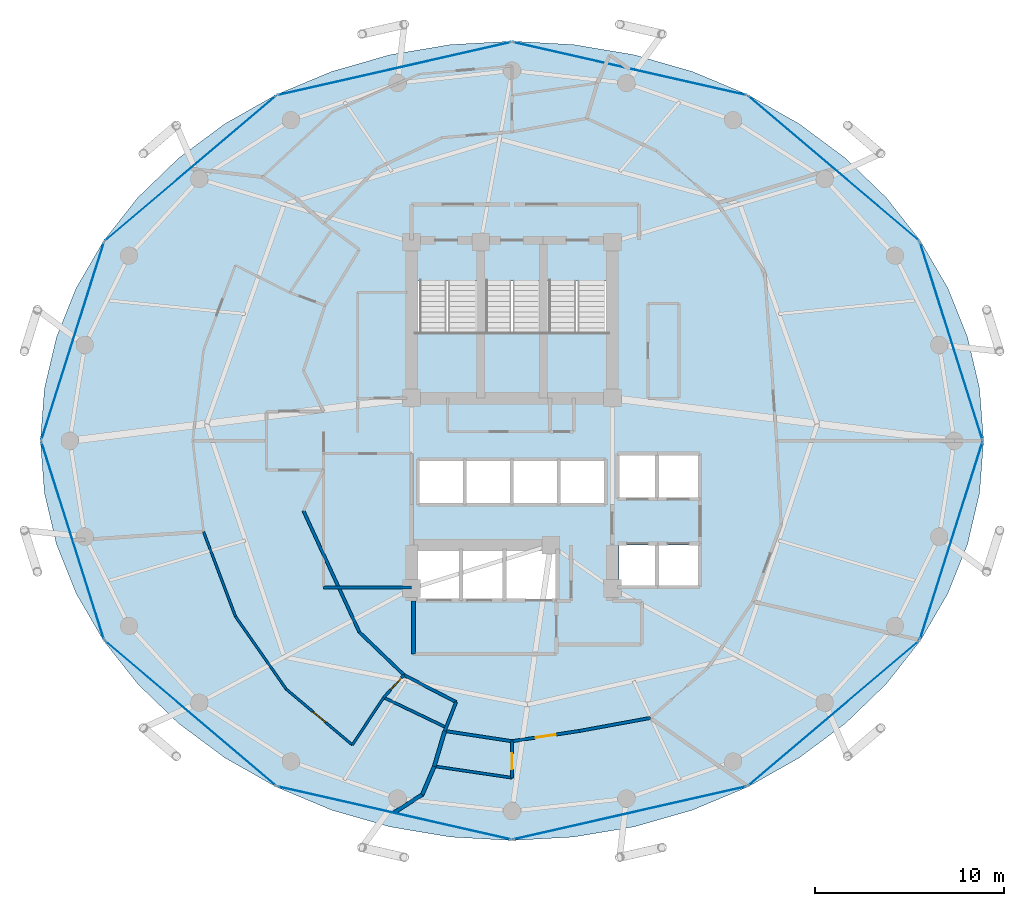
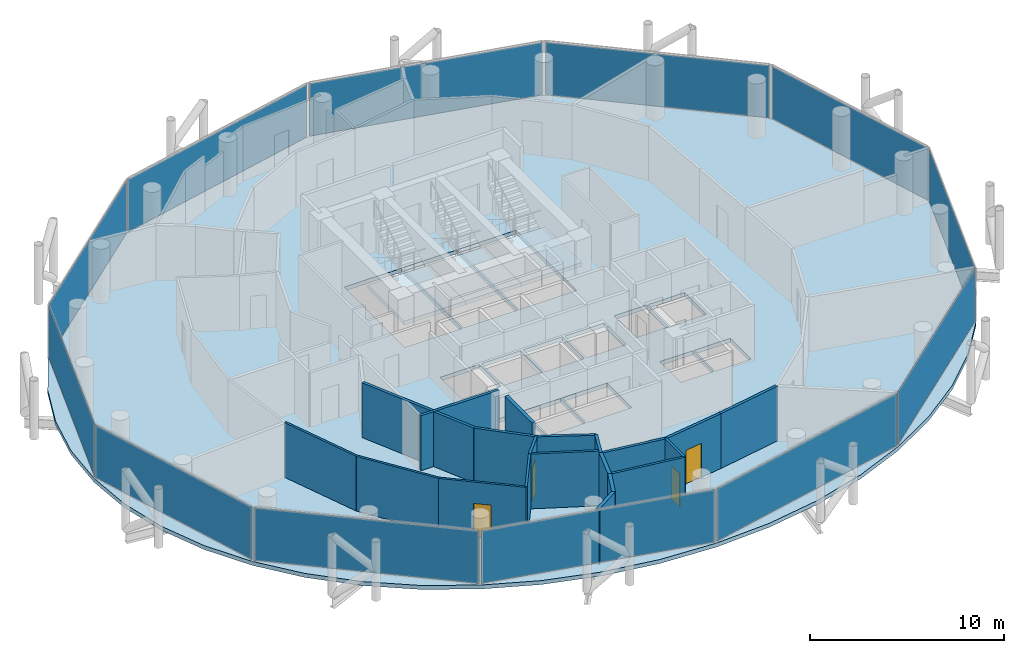
# One storey, part 21 of 26: 20 walls, 12 plates, 4 doors, 4 slabs, 4 openings, 15 elements without a shape of their own.
"""IFC4 building model written with IfcOpenShell, lengths in metres."""

from ifc_helpers import new_model, si_unit, direction, frame, frame_2d, origin, origin_2d, place, context, subcontext, project, spatial, polyline, rectangle, outline, extrude, material, layer, layer_set, type_object, element, fill, aggregate, save


model = new_model("IFC4")

# Units and contexts
model_context = context("Model", 3, precision=1e-05, world=origin(), true_north=direction((0.0, 1.0)))
body_context = subcontext(model_context, "Body", "Model", "MODEL_VIEW")
ifc_project = project(units=[si_unit("LENGTHUNIT", "METRE"), si_unit("AREAUNIT", "SQUARE_METRE"), si_unit("VOLUMEUNIT", "CUBIC_METRE"), si_unit("PLANEANGLEUNIT", "RADIAN"), si_unit("MASSUNIT", "GRAM", prefix="KILO")], contexts=[model_context])

# Site, building, storey
site_placement = place(None, origin())
site = spatial("IfcSite", under=ifc_project, at=site_placement, CompositionType="ELEMENT")
building_placement = place(site_placement, origin())
building = spatial("IfcBuilding", under=site, at=building_placement, Name="Nuhasar Tower", CompositionType="ELEMENT")
storey_placement = place(building_placement, frame((0.0, 0.0, 155.25)))
storey = spatial("IfcBuildingStorey", under=building, at=storey_placement, Name="L37", CompositionType="ELEMENT", Elevation=155.25)

# Curtain wall, plate
ifc_material_1 = material(Name="Aluminium 6063-T6", Category="aluminium")
ifc_layer_1 = layer(ifc_material_1, 0.199951171875)
ifc_layer_set_1 = layer_set([ifc_layer_1], Name="Aluminium 6063-T6")
curtain_wall_type = type_object("IfcCurtainWallType", Name="CW-Z2-HTL", PredefinedType="NOTDEFINED", material=ifc_layer_set_1)
curtain_wall_1_placement = place(storey_placement, origin())
curtain_wall_1 = element("IfcCurtainWall", 1, at=curtain_wall_1_placement, inside=storey, type_object=curtain_wall_type, Name="L37 Unitised Curtain Wall 01", PredefinedType="NOTDEFINED")
ifc_material_2 = material(Name="Glass Double Low-E", Category="glass")
ifc_layer_2 = layer(ifc_material_2, 0.028076171875)
ifc_layer_set_2 = layer_set([ifc_layer_2], Name="Glass Double Low-E")
plate_type = type_object("IfcPlateType", Name="CW-PANEL-GLZ", PredefinedType="CURTAIN_PANEL", material=ifc_layer_set_2)
plate_1_placement = place(storey_placement, frame((62.194580078125, 32.06494140625, 0.070068359375), z_axis=(0.0, 0.0, 1.0), x_axis=(-0.301603667577, 0.953433389233, 0.0)))
plate_1 = element("IfcPlate", 2, at=plate_1_placement, type_object=plate_type, Name="CW-Z2 panel 1.1", PredefinedType="CURTAIN_PANEL", context=body_context, shape_type="SweptSolid", body=[
    extrude(rectangle(XDim=10.904296875, YDim=0.028076171875, at=origin_2d()), origin(), (0.0, 0.0, 1.0), 3.31005859375),
])
aggregate(curtain_wall_1, [plate_1])

curtain_wall_2_placement = place(storey_placement, origin())
curtain_wall_2 = element("IfcCurtainWall", 3, at=curtain_wall_2_placement, inside=storey, type_object=curtain_wall_type, Name="L37 Unitised Curtain Wall 02", PredefinedType="NOTDEFINED")
plate_2_placement = place(storey_placement, frame((55.9794921875, 41.18408203125, 0.070068359375), z_axis=(0.0, 0.0, 1.0), x_axis=(-0.763020370292, 0.646374438324, 0.0)))
plate_2 = element("IfcPlate", 4, at=plate_2_placement, type_object=plate_type, Name="CW-Z2 panel 1.1", PredefinedType="CURTAIN_PANEL", context=body_context, shape_type="SweptSolid", body=[
    extrude(rectangle(XDim=11.784912109375, YDim=0.028076171875, at=origin_2d()), origin(), (0.0, 0.0, 1.0), 3.31005859375),
])
aggregate(curtain_wall_2, [plate_2])

curtain_wall_3_placement = place(storey_placement, origin())
curtain_wall_3 = element("IfcCurtainWall", 5, at=curtain_wall_3_placement, inside=storey, type_object=curtain_wall_type, Name="L37 Unitised Curtain Wall 03", PredefinedType="NOTDEFINED")
plate_3_placement = place(storey_placement, frame((45.215087890625, 46.448974609375, 0.070068359375), z_axis=(0.0, 0.0, 1.0), x_axis=(-0.975183694221, 0.22139729566, 0.0)))
plate_3 = element("IfcPlate", 6, at=plate_3_placement, type_object=plate_type, Name="CW-Z2 panel 1.1", PredefinedType="CURTAIN_PANEL", context=body_context, shape_type="SweptSolid", body=[
    extrude(rectangle(XDim=12.606201171875, YDim=0.028076171875, at=origin_2d()), origin(), (0.0, 0.0, 1.0), 3.31005859375),
])
aggregate(curtain_wall_3, [plate_3])

curtain_wall_4_placement = place(storey_placement, origin())
curtain_wall_4 = element("IfcCurtainWall", 7, at=curtain_wall_4_placement, inside=storey, type_object=curtain_wall_type, Name="L37 Unitised Curtain Wall 04", PredefinedType="NOTDEFINED")
plate_4_placement = place(storey_placement, frame((32.784912109375, 46.448974609375, 0.070068359375), z_axis=(0.0, 0.0, 1.0), x_axis=(-0.975183694221, -0.22139729566, 0.0)))
plate_4 = element("IfcPlate", 8, at=plate_4_placement, type_object=plate_type, Name="CW-Z2 panel 1.1", PredefinedType="CURTAIN_PANEL", context=body_context, shape_type="SweptSolid", body=[
    extrude(rectangle(XDim=12.606201171875, YDim=0.028076171875, at=origin_2d()), origin(), (0.0, 0.0, 1.0), 3.31005859375),
])
aggregate(curtain_wall_4, [plate_4])

curtain_wall_5_placement = place(storey_placement, origin())
curtain_wall_5 = element("IfcCurtainWall", 9, at=curtain_wall_5_placement, inside=storey, type_object=curtain_wall_type, Name="L37 Unitised Curtain Wall 05", PredefinedType="NOTDEFINED")
plate_5_placement = place(storey_placement, frame((22.0205078125, 41.18408203125, 0.070068359375), z_axis=(0.0, 0.0, 1.0), x_axis=(-0.763020370292, -0.646374438324, 0.0)))
plate_5 = element("IfcPlate", 10, at=plate_5_placement, type_object=plate_type, Name="CW-Z2 panel 1.1", PredefinedType="CURTAIN_PANEL", context=body_context, shape_type="SweptSolid", body=[
    extrude(rectangle(XDim=11.784912109375, YDim=0.028076171875, at=origin_2d()), origin(), (0.0, 0.0, 1.0), 3.31005859375),
])
aggregate(curtain_wall_5, [plate_5])

curtain_wall_6_placement = place(storey_placement, origin())
curtain_wall_6 = element("IfcCurtainWall", 11, at=curtain_wall_6_placement, inside=storey, type_object=curtain_wall_type, Name="L37 Unitised Curtain Wall 06", PredefinedType="NOTDEFINED")
plate_6_placement = place(storey_placement, frame((15.805419921875, 32.06494140625, 0.070068359375), z_axis=(0.0, 0.0, 1.0), x_axis=(-0.301603667577, -0.953433389233, 0.0)))
plate_6 = element("IfcPlate", 12, at=plate_6_placement, type_object=plate_type, Name="CW-Z2 panel 1.1", PredefinedType="CURTAIN_PANEL", context=body_context, shape_type="SweptSolid", body=[
    extrude(rectangle(XDim=10.904296875, YDim=0.028076171875, at=origin_2d()), origin(), (0.0, 0.0, 1.0), 3.31005859375),
])
aggregate(curtain_wall_6, [plate_6])

curtain_wall_7_placement = place(storey_placement, origin())
curtain_wall_7 = element("IfcCurtainWall", 13, at=curtain_wall_7_placement, inside=storey, type_object=curtain_wall_type, Name="L37 Unitised Curtain Wall 07", PredefinedType="NOTDEFINED")
plate_7_placement = place(storey_placement, frame((15.805419921875, 21.534912109375, 0.070068359375), z_axis=(0.0, 0.0, 1.0), x_axis=(0.301603667577, -0.953433389233, 0.0)))
plate_7 = element("IfcPlate", 14, at=plate_7_placement, type_object=plate_type, Name="CW-Z2 panel 1.1", PredefinedType="CURTAIN_PANEL", context=body_context, shape_type="SweptSolid", body=[
    extrude(rectangle(XDim=10.904296875, YDim=0.028076171875, at=origin_2d()), origin(), (0.0, 0.0, 1.0), 3.31005859375),
])
aggregate(curtain_wall_7, [plate_7])

curtain_wall_8_placement = place(storey_placement, origin())
curtain_wall_8 = element("IfcCurtainWall", 15, at=curtain_wall_8_placement, inside=storey, type_object=curtain_wall_type, Name="L37 Unitised Curtain Wall 08", PredefinedType="NOTDEFINED")
plate_8_placement = place(storey_placement, frame((22.0205078125, 12.416015625, 0.070068359375), z_axis=(0.0, 0.0, 1.0), x_axis=(0.763020370292, -0.646374438324, 0.0)))
plate_8 = element("IfcPlate", 16, at=plate_8_placement, type_object=plate_type, Name="CW-Z2 panel 1.1", PredefinedType="CURTAIN_PANEL", context=body_context, shape_type="SweptSolid", body=[
    extrude(rectangle(XDim=11.784912109375, YDim=0.028076171875, at=origin_2d()), origin(), (0.0, 0.0, 1.0), 3.31005859375),
])
aggregate(curtain_wall_8, [plate_8])

curtain_wall_9_placement = place(storey_placement, origin())
curtain_wall_9 = element("IfcCurtainWall", 17, at=curtain_wall_9_placement, inside=storey, type_object=curtain_wall_type, Name="L37 Unitised Curtain Wall 09", PredefinedType="NOTDEFINED")
plate_9_placement = place(storey_placement, frame((32.784912109375, 7.15087890625, 0.070068359375), z_axis=(0.0, 0.0, 1.0), x_axis=(0.975183694221, -0.22139729566, 0.0)))
plate_9 = element("IfcPlate", 18, at=plate_9_placement, type_object=plate_type, Name="CW-Z2 panel 1.1", PredefinedType="CURTAIN_PANEL", context=body_context, shape_type="SweptSolid", body=[
    extrude(rectangle(XDim=12.606201171875, YDim=0.028076171875, at=origin_2d()), origin(), (0.0, 0.0, 1.0), 3.31005859375),
])
aggregate(curtain_wall_9, [plate_9])

curtain_wall_10_placement = place(storey_placement, origin())
curtain_wall_10 = element("IfcCurtainWall", 19, at=curtain_wall_10_placement, inside=storey, type_object=curtain_wall_type, Name="L37 Unitised Curtain Wall 10", PredefinedType="NOTDEFINED")
plate_10_placement = place(storey_placement, frame((45.215087890625, 7.15087890625, 0.070068359375), z_axis=(0.0, 0.0, 1.0), x_axis=(0.975183694221, 0.22139729566, 0.0)))
plate_10 = element("IfcPlate", 20, at=plate_10_placement, type_object=plate_type, Name="CW-Z2 panel 1.1", PredefinedType="CURTAIN_PANEL", context=body_context, shape_type="SweptSolid", body=[
    extrude(rectangle(XDim=12.606201171875, YDim=0.028076171875, at=origin_2d()), origin(), (0.0, 0.0, 1.0), 3.31005859375),
])
aggregate(curtain_wall_10, [plate_10])

curtain_wall_11_placement = place(storey_placement, origin())
curtain_wall_11 = element("IfcCurtainWall", 21, at=curtain_wall_11_placement, inside=storey, type_object=curtain_wall_type, Name="L37 Unitised Curtain Wall 11", PredefinedType="NOTDEFINED")
plate_11_placement = place(storey_placement, frame((55.9794921875, 12.416015625, 0.070068359375), z_axis=(0.0, 0.0, 1.0), x_axis=(0.763020370292, 0.646374438324, 0.0)))
plate_11 = element("IfcPlate", 22, at=plate_11_placement, type_object=plate_type, Name="CW-Z2 panel 1.1", PredefinedType="CURTAIN_PANEL", context=body_context, shape_type="SweptSolid", body=[
    extrude(rectangle(XDim=11.784912109375, YDim=0.028076171875, at=origin_2d()), origin(), (0.0, 0.0, 1.0), 3.31005859375),
])
aggregate(curtain_wall_11, [plate_11])

curtain_wall_12_placement = place(storey_placement, origin())
curtain_wall_12 = element("IfcCurtainWall", 23, at=curtain_wall_12_placement, inside=storey, type_object=curtain_wall_type, Name="L37 Unitised Curtain Wall 12", PredefinedType="NOTDEFINED")
plate_12_placement = place(storey_placement, frame((62.194580078125, 21.534912109375, 0.070068359375), z_axis=(0.0, 0.0, 1.0), x_axis=(0.301603667577, 0.953433389233, 0.0)))
plate_12 = element("IfcPlate", 24, at=plate_12_placement, type_object=plate_type, Name="CW-Z2 panel 1.1", PredefinedType="CURTAIN_PANEL", context=body_context, shape_type="SweptSolid", body=[
    extrude(rectangle(XDim=10.904296875, YDim=0.028076171875, at=origin_2d()), origin(), (0.0, 0.0, 1.0), 3.31005859375),
])
aggregate(curtain_wall_12, [plate_12])

# Stair, slab
ifc_material_3 = material(Name="Concrete C45/55", Category="concrete")
stair_type_1 = type_object("IfcStairType", Name="STR-ST-01-2F-22R-1682", PredefinedType="HALF_TURN_STAIR", material=ifc_material_3)
stair_1_placement = place(storey_placement, origin())
stair_1 = element("IfcStair", 25, at=stair_1_placement, inside=storey, type_object=stair_type_1, Name="L37 Exit Stair ST-01", PredefinedType="HALF_TURN_STAIR")
ifc_layer_3 = layer(ifc_material_3, 0.239990234375)
ifc_layer_set_3 = layer_set([ifc_layer_3], Name="Concrete C45/55")
slab_type_1 = type_object("IfcSlabType", Name="SLB-STAIR-LND-240", PredefinedType="LANDING", material=ifc_layer_set_3)
slab_1_placement = place(storey_placement, frame((0.0, 0.0, 1.610107421875)))
slab_1 = element("IfcSlab", 26, at=slab_1_placement, type_object=slab_type_1, Name="ST-01 landing 1", PredefinedType="LANDING", context=body_context, shape_type="SweptSolid", body=[
    extrude(outline(polyline([(33.699951171875, 28.75), (37.35009765625, 28.75), (37.35009765625, 32.52001953125), (33.699951171875, 32.52001953125), (33.699951171875, 28.75)])), origin(), (0.0, 0.0, 1.0), 0.239990234375),
])
aggregate(stair_1, [slab_1])

stair_type_2 = type_object("IfcStairType", Name="STR-ST-03-2F-22R-1682", PredefinedType="HALF_TURN_STAIR", material=ifc_material_3)
stair_2_placement = place(storey_placement, origin())
stair_2 = element("IfcStair", 27, at=stair_2_placement, inside=storey, type_object=stair_type_2, Name="L37 Exit Stair ST-03", PredefinedType="HALF_TURN_STAIR")
slab_2_placement = place(storey_placement, frame((0.0, 0.0, 1.610107421875)))
slab_2 = element("IfcSlab", 28, at=slab_2_placement, type_object=slab_type_1, Name="ST-03 landing 1", PredefinedType="LANDING", context=body_context, shape_type="SweptSolid", body=[
    extrude(outline(polyline([(37.35009765625, 28.75), (40.64990234375, 28.75), (40.64990234375, 32.52001953125), (37.35009765625, 32.52001953125), (37.35009765625, 28.75)])), origin(), (0.0, 0.0, 1.0), 0.239990234375),
])
aggregate(stair_2, [slab_2])

stair_type_3 = type_object("IfcStairType", Name="STR-ST-02-2F-22R-1682", PredefinedType="HALF_TURN_STAIR", material=ifc_material_3)
stair_3_placement = place(storey_placement, origin())
stair_3 = element("IfcStair", 29, at=stair_3_placement, inside=storey, type_object=stair_type_3, Name="L37 Exit Stair ST-02", PredefinedType="HALF_TURN_STAIR")
slab_3_placement = place(storey_placement, frame((0.0, 0.0, 1.610107421875)))
slab_3 = element("IfcSlab", 30, at=slab_3_placement, type_object=slab_type_1, Name="ST-02 landing 1", PredefinedType="LANDING", context=body_context, shape_type="SweptSolid", body=[
    extrude(outline(polyline([(40.64990234375, 28.75), (44.300048828125, 28.75), (44.300048828125, 32.52001953125), (40.64990234375, 32.52001953125), (40.64990234375, 28.75)])), origin(), (0.0, 0.0, 1.0), 0.239990234375),
])
aggregate(stair_3, [slab_3])

# Slab
ifc_layer_4 = layer(ifc_material_3, 0.25)
ifc_layer_set_4 = layer_set([ifc_layer_4], Name="Concrete C45/55")
slab_type_2 = type_object("IfcSlabType", Name="SLB-Z1B-250", PredefinedType="FLOOR", material=ifc_layer_set_4)
slab_4_placement = place(storey_placement, frame((0.0, 0.0, -0.25)))
element("IfcSlab", 31, at=slab_4_placement, inside=storey, type_object=slab_type_2, Name="L37 Structural Slab", PredefinedType="FLOOR", context=body_context, shape_type="SweptSolid", body=[
    extrude(outline(polyline([(63.89990234375, 26.800048828125), (63.68701171875, 29.553955078125), (63.052001953125, 32.260986328125), (62.0048828125, 34.875), (60.56396484375, 37.35009765625), (58.75390625, 39.64501953125), (56.60693359375, 41.719970703125), (54.157958984375, 43.5400390625), (51.449951171875, 45.072998046875), (48.529052734375, 46.2939453125), (45.445068359375, 47.180908203125), (42.25, 47.718994140625), (39.0, 47.89990234375), (35.75, 47.718994140625), (32.554931640625, 47.180908203125), (29.470947265625, 46.2939453125), (26.550048828125, 45.072998046875), (23.842041015625, 43.5400390625), (21.39306640625, 41.719970703125), (19.24609375, 39.64501953125), (17.43603515625, 37.35009765625), (15.9951171875, 34.875), (14.947998046875, 32.260986328125), (14.31298828125, 29.553955078125), (14.10009765625, 26.800048828125), (14.31298828125, 24.0458984375), (14.947998046875, 21.339111328125), (15.9951171875, 18.72509765625), (17.43603515625, 16.25), (19.24609375, 13.955078125), (21.39306640625, 11.8798828125), (23.842041015625, 10.06005859375), (26.550048828125, 8.527099609375), (29.470947265625, 7.305908203125), (32.554931640625, 6.4189453125), (35.75, 5.881103515625), (39.0, 5.699951171875), (42.25, 5.881103515625), (45.445068359375, 6.4189453125), (48.529052734375, 7.305908203125), (51.449951171875, 8.527099609375), (54.157958984375, 10.06005859375), (56.60693359375, 11.8798828125), (58.75390625, 13.955078125), (60.56396484375, 16.25), (62.0048828125, 18.72509765625), (63.052001953125, 21.339111328125), (63.68701171875, 24.0458984375), (63.89990234375, 26.800048828125)]), holes=[polyline([(33.8798828125, 35.25), (37.300048828125, 35.25), (37.300048828125, 29.0), (33.8798828125, 29.0), (33.8798828125, 35.25)]), polyline([(37.39990234375, 35.25), (40.60009765625, 35.25), (40.60009765625, 29.0), (37.39990234375, 29.0), (37.39990234375, 35.25)]), polyline([(40.699951171875, 35.25), (44.1201171875, 35.25), (44.1201171875, 29.0), (40.699951171875, 29.0), (40.699951171875, 35.25)]), polyline([(44.64990234375, 26.050048828125), (46.60009765625, 26.050048828125), (46.60009765625, 23.800048828125), (44.64990234375, 23.800048828125), (44.64990234375, 26.050048828125)]), polyline([(46.699951171875, 26.050048828125), (48.85009765625, 26.050048828125), (48.85009765625, 23.800048828125), (46.699951171875, 23.800048828125), (46.699951171875, 26.050048828125)]), polyline([(44.64990234375, 21.300048828125), (46.60009765625, 21.300048828125), (46.60009765625, 19.14990234375), (44.64990234375, 19.14990234375), (44.64990234375, 21.300048828125)]), polyline([(46.699951171875, 21.300048828125), (48.85009765625, 21.300048828125), (48.85009765625, 19.14990234375), (46.699951171875, 19.14990234375), (46.699951171875, 21.300048828125)]), polyline([(34.10009765625, 25.75), (36.43994140625, 25.75), (36.43994140625, 23.5), (34.10009765625, 23.5), (34.10009765625, 25.75)]), polyline([(36.580078125, 25.75), (38.919921875, 25.75), (38.919921875, 23.5), (36.580078125, 23.5), (36.580078125, 25.75)]), polyline([(39.06005859375, 25.75), (41.39990234375, 25.75), (41.39990234375, 23.5), (39.06005859375, 23.5), (39.06005859375, 25.75)]), polyline([(41.5400390625, 25.75), (43.8798828125, 25.75), (43.8798828125, 23.5), (41.5400390625, 23.5), (41.5400390625, 25.75)]), polyline([(34.050048828125, 21.0), (36.25, 21.0), (36.25, 18.449951171875), (34.050048828125, 18.449951171875), (34.050048828125, 21.0)]), polyline([(36.35009765625, 21.0), (38.550048828125, 21.0), (38.550048828125, 18.449951171875), (36.35009765625, 18.449951171875), (36.35009765625, 21.0)]), polyline([(38.64990234375, 21.0), (41.320068359375, 21.0), (41.320068359375, 18.449951171875), (38.64990234375, 18.449951171875), (38.64990234375, 21.0)])]), origin(), (0.0, 0.0, 1.0), 0.25),
])

# Walls
ifc_material_4 = material(Name="Gypsum Board", Category="gypsum")
ifc_layer_5 = layer(ifc_material_4, 0.159912109375)
ifc_layer_set_5 = layer_set([ifc_layer_5], Name="Gypsum Board")
wall_type_1 = type_object("IfcWallType", Name="WL-CORR-160", PredefinedType="PARTITIONING", material=ifc_layer_set_5)
wall_1_placement = place(storey_placement, frame((29.050048828125, 19.050048828125, 0.0), z_axis=(0.0, 0.0, 1.0), x_axis=(1.0, 0.0, 0.0)))
element("IfcWall", 32, at=wall_1_placement, inside=storey, type_object=wall_type_1, Name="L37 Interior Partition RECL-B1-S", PredefinedType="PARTITIONING", context=body_context, shape_type="SweptSolid", body=[
    extrude(rectangle(XDim=4.64990234375, YDim=0.159912109375, at=frame_2d((2.324951171875, 0.0))), origin(), (0.0, 0.0, 1.0), 3.449951171875),
])
wall_2_placement = place(storey_placement, frame((35.448974609375, 11.47998046875, 0.0), z_axis=(0.0, 0.0, 1.0), x_axis=(0.988632678439, -0.150351013043, 0.0)))
element("IfcWall", 33, at=wall_2_placement, inside=storey, type_object=wall_type_1, Name="L37 Interior Partition CORR-34", PredefinedType="PARTITIONING", context=body_context, shape_type="SweptSolid", body=[
    extrude(rectangle(XDim=3.591796875, YDim=0.159912109375, at=frame_2d((1.7958984375, 0.0))), origin(), (0.0, 0.0, 1.0), 3.449951171875),
])

# Wall, opening, door
wall_3_placement = place(storey_placement, frame((42.551025390625, 11.47998046875, 0.0), z_axis=(0.0, 0.0, 1.0), x_axis=(-0.988632678439, -0.150351013043, 0.0)))
wall_3 = element("IfcWall", 34, at=wall_3_placement, inside=storey, type_object=wall_type_1, Name="L37 Interior Partition CORR-36", PredefinedType="PARTITIONING", context=body_context, shape_type="SweptSolid", body=[
    extrude(rectangle(XDim=3.591796875, YDim=0.159912109375, at=frame_2d((1.7958984375, 0.0))), origin(), (0.0, 0.0, 1.0), 3.449951171875),
])
opening_1_placement = place(wall_3_placement, frame((1.27099609375, 0.0, 0.0)))
opening_1 = element("IfcOpeningElement", 35, at=opening_1_placement, cuts=wall_3, Name="Opening DU-01", PredefinedType="OPENING", context=body_context, shape_type="SweptSolid", body=[
    extrude(rectangle(XDim=1.050048828125, YDim=2.14990234375, at=frame_2d((0.52490234375, 1.074951171875))), frame((0.0, 0.08984375, 0.0), z_axis=(0.0, -1.0, 0.0), x_axis=(1.0, 0.0, 0.0)), (0.0, 0.0, 1.0), 0.179931640625),
])
ifc_material_5 = material(Name="Timber Oak", Category="wood")
door_type_1 = type_object("IfcDoorType", Name="DR-SUITE-FD60-1050", OperationType="NOTDEFINED", PredefinedType="DOOR", material=ifc_material_5)
door_1_placement = place(opening_1_placement, origin())
door_1 = element("IfcDoor", 36, at=door_1_placement, inside=storey, type_object=door_type_1, Name="L37 Thermal Sanctuary Suite 01 Entrance Door", OperationType="SINGLE_SWING_LEFT", OverallHeight=2.14990234375, OverallWidth=1.050048828125, PredefinedType="DOOR", context=body_context, shape_type="SweptSolid", body=[
    extrude(rectangle(XDim=1.050048828125, YDim=2.14990234375, at=frame_2d((0.52490234375, 1.074951171875))), frame((0.0, 0.02490234375, 0.0), z_axis=(0.0, -1.0, 0.0), x_axis=(1.0, 0.0, 0.0)), (0.0, 0.0, 1.0), 0.050048828125),
])
fill(opening_1, door_1)

# Walls
wall_4_placement = place(storey_placement, frame((42.551025390625, 11.47998046875, 0.0), z_axis=(0.0, 0.0, 1.0), x_axis=(0.983542993076, 0.180674239368, 0.0)))
element("IfcWall", 37, at=wall_4_placement, inside=storey, type_object=wall_type_1, Name="L37 Interior Partition CORR-38", PredefinedType="PARTITIONING", context=body_context, shape_type="SweptSolid", body=[
    extrude(rectangle(XDim=3.818603515625, YDim=0.159912109375, at=frame_2d((1.9091796875, 0.0))), origin(), (0.0, 0.0, 1.0), 3.449951171875),
])
wall_5_placement = place(storey_placement, frame((36.049072265625, 13.007080078125, 0.0), z_axis=(0.0, 0.0, 1.0), x_axis=(-0.365739839664, -0.930717126566, 0.0)))
element("IfcWall", 38, at=wall_5_placement, inside=storey, type_object=wall_type_1, Name="L37 Interior Partition HRAD-34-IN", PredefinedType="PARTITIONING", context=body_context, shape_type="SweptSolid", body=[
    extrude(rectangle(XDim=1.640869140625, YDim=0.159912109375, at=frame_2d((0.8203125, 0.0))), origin(), (0.0, 0.0, 1.0), 3.449951171875),
])
wall_6_placement = place(storey_placement, frame((27.988037109375, 23.10400390625, 0.0), z_axis=(0.0, 0.0, 1.0), x_axis=(0.418656179426, -0.908144814128, 0.0)))
element("IfcWall", 39, at=wall_6_placement, inside=storey, type_object=wall_type_1, Name="L37 Interior Partition HWEST-CORE-S1-26", PredefinedType="PARTITIONING", context=body_context, shape_type="SweptSolid", body=[
    extrude(rectangle(XDim=7.048583984375, YDim=0.159912109375, at=frame_2d((3.5244140625, 0.0))), origin(), (0.0, 0.0, 1.0), 3.449951171875),
])
wall_7_placement = place(storey_placement, frame((30.93896484375, 16.702880859375, 0.0), z_axis=(0.0, 0.0, 1.0), x_axis=(0.72090897908, -0.693029756851, 0.0)))
element("IfcWall", 40, at=wall_7_placement, inside=storey, type_object=wall_type_1, Name="L37 Interior Partition HWEST-CORE-S2-30", PredefinedType="PARTITIONING", context=body_context, shape_type="SweptSolid", body=[
    extrude(rectangle(XDim=3.275146484375, YDim=0.159912109375, at=frame_2d((1.6376953125, 0.0))), origin(), (0.0, 0.0, 1.0), 3.449951171875),
])
wall_8_placement = place(storey_placement, frame((33.300048828125, 14.43310546875, 0.0), z_axis=(0.0, 0.0, 1.0), x_axis=(0.887674575788, -0.460471331898, 0.0)))
element("IfcWall", 41, at=wall_8_placement, inside=storey, type_object=wall_type_1, Name="L37 Interior Partition HWEST-CORE-S2-32", PredefinedType="PARTITIONING", context=body_context, shape_type="SweptSolid", body=[
    extrude(rectangle(XDim=3.096923828125, YDim=0.159912109375, at=frame_2d((1.54833984375, 0.0))), origin(), (0.0, 0.0, 1.0), 3.449951171875),
])
ifc_layer_6 = layer(ifc_material_3, 0.199951171875)
ifc_layer_set_6 = layer_set([ifc_layer_6], Name="Concrete C45/55")
wall_type_2 = type_object("IfcWallType", Name="WL-LOBBY-200", PredefinedType="SOLIDWALL", material=ifc_layer_set_6)
wall_9_placement = place(storey_placement, frame((33.800048828125, 15.550048828125, 0.0), z_axis=(0.0, 0.0, 1.0), x_axis=(0.0, 1.0, 0.0)))
element("IfcWall", 42, at=wall_9_placement, inside=storey, type_object=wall_type_2, Name="L37 Interior Partition FFL-W", PredefinedType="SOLIDWALL", context=body_context, shape_type="SweptSolid", body=[
    extrude(rectangle(XDim=2.800048828125, YDim=0.199951171875, at=frame_2d((1.39990234375, 0.0))), origin(), (0.0, 0.0, 1.0), 3.449951171875),
])
ifc_layer_7 = layer(ifc_material_4, 0.125)
ifc_layer_set_7 = layer_set([ifc_layer_7], Name="Gypsum Board")
wall_type_3 = type_object("IfcWallType", Name="WL-PART-125", PredefinedType="PARTITIONING", material=ifc_layer_set_7)
wall_10_placement = place(storey_placement, frame((32.22509765625, 13.2470703125, 0.0), z_axis=(0.0, 0.0, 1.0), x_axis=(-0.551523216301, -0.834159542223, 0.0)))
element("IfcWall", 43, at=wall_10_placement, inside=storey, type_object=wall_type_3, Name="L37 Interior Partition HWS2-N", PredefinedType="PARTITIONING", context=body_context, shape_type="SweptSolid", body=[
    extrude(rectangle(XDim=3.000732421875, YDim=0.125, at=frame_2d((1.50048828125, 0.0))), origin(), (0.0, 0.0, 1.0), 3.449951171875),
])
wall_11_placement = place(storey_placement, frame((22.714111328125, 22.0009765625, 0.0), z_axis=(0.0, 0.0, 1.0), x_axis=(0.352629336954, -0.935763084717, 0.0)))
element("IfcWall", 44, at=wall_11_placement, inside=storey, type_object=wall_type_3, Name="L37 Interior Partition HWS2-ARC-26", PredefinedType="PARTITIONING", context=body_context, shape_type="SweptSolid", body=[
    extrude(rectangle(XDim=4.77783203125, YDim=0.125, at=frame_2d((2.388916015625, 0.0))), origin(), (0.0, 0.0, 1.0), 3.449951171875),
])
wall_12_placement = place(storey_placement, frame((24.39892578125, 17.530029296875, 0.0), z_axis=(0.0, 0.0, 1.0), x_axis=(0.572156311814, -0.820144593868, 0.0)))
element("IfcWall", 45, at=wall_12_placement, inside=storey, type_object=wall_type_3, Name="L37 Interior Partition HWS2-ARC-28", PredefinedType="PARTITIONING", context=body_context, shape_type="SweptSolid", body=[
    extrude(rectangle(XDim=4.68212890625, YDim=0.125, at=frame_2d((2.341064453125, 0.0))), origin(), (0.0, 0.0, 1.0), 3.449951171875),
])

# Wall, opening, door
wall_13_placement = place(storey_placement, frame((27.077880859375, 13.68994140625, 0.0), z_axis=(0.0, 0.0, 1.0), x_axis=(0.764344154591, -0.64480850905, 0.0)))
wall_13 = element("IfcWall", 46, at=wall_13_placement, inside=storey, type_object=wall_type_3, Name="L37 Interior Partition HWS2-ARC-30", PredefinedType="PARTITIONING", context=body_context, shape_type="SweptSolid", body=[
    extrude(rectangle(XDim=4.56884765625, YDim=0.125, at=frame_2d((2.284423828125, 0.0))), origin(), (0.0, 0.0, 1.0), 3.449951171875),
])
opening_2_placement = place(wall_13_placement, frame((1.833984375, 0.0, 0.0)))
opening_2 = element("IfcOpeningElement", 47, at=opening_2_placement, cuts=wall_13, Name="Opening DR-01", PredefinedType="OPENING", context=body_context, shape_type="SweptSolid", body=[
    extrude(rectangle(XDim=0.89990234375, YDim=2.10009765625, at=frame_2d((0.449951171875, 1.050048828125))), frame((0.0, 0.072509765625, 0.0), z_axis=(0.0, -1.0, 0.0), x_axis=(1.0, 0.0, 0.0)), (0.0, 0.0, 1.0), 0.14501953125),
])
door_type_2 = type_object("IfcDoorType", Name="DR-ROOM-900", OperationType="NOTDEFINED", PredefinedType="DOOR", material=ifc_material_5)
door_2_placement = place(opening_2_placement, origin())
door_2 = element("IfcDoor", 48, at=door_2_placement, inside=storey, type_object=door_type_2, Name="L37 South-West Presidential Suite Bedroom Door", OperationType="SINGLE_SWING_RIGHT", OverallHeight=2.10009765625, OverallWidth=0.89990234375, PredefinedType="DOOR", context=body_context, shape_type="SweptSolid", body=[
    extrude(rectangle(XDim=0.89990234375, YDim=2.10009765625, at=frame_2d((0.449951171875, 1.050048828125))), frame((0.0, 0.02490234375, 0.0), z_axis=(0.0, -1.0, 0.0), x_axis=(1.0, 0.0, 0.0)), (0.0, 0.0, 1.0), 0.050048828125),
])
fill(opening_2, door_2)

# Walls
ifc_material_6 = material(Name="Concrete C40/50 precast", Category="concrete")
ifc_layer_8 = layer(ifc_material_6, 0.199951171875)
ifc_layer_set_8 = layer_set([ifc_layer_8], Name="Concrete C40/50 precast")
wall_type_4 = type_object("IfcWallType", Name="WL-UNIT-200", PredefinedType="PARTITIONING", material=ifc_layer_set_8)
wall_14_placement = place(storey_placement, frame((35.448974609375, 11.47998046875, 0.0), z_axis=(0.0, 0.0, 1.0), x_axis=(-0.283485285535, -0.958976586203, 0.0)))
element("IfcWall", 49, at=wall_14_placement, inside=storey, type_object=wall_type_4, Name="L37 Interior Partition HRAD-34-OUT-S1", PredefinedType="PARTITIONING", context=body_context, shape_type="SweptSolid", body=[
    extrude(rectangle(XDim=1.94384765625, YDim=0.199951171875, at=frame_2d((0.971923828125, 0.0))), origin(), (0.0, 0.0, 1.0), 3.449951171875),
])
wall_15_placement = place(storey_placement, frame((34.89794921875, 9.615966796875, 0.0), z_axis=(0.0, 0.0, 1.0), x_axis=(-0.389982878965, -0.920822107746, 0.0)))
element("IfcWall", 50, at=wall_15_placement, inside=storey, type_object=wall_type_4, Name="L37 Interior Partition HRAD-34-OUT-S2", PredefinedType="PARTITIONING", context=body_context, shape_type="SweptSolid", body=[
    extrude(rectangle(XDim=1.625732421875, YDim=0.199951171875, at=frame_2d((0.81298828125, 0.0))), origin(), (0.0, 0.0, 1.0), 3.449951171875),
])
wall_16_placement = place(storey_placement, frame((34.263916015625, 8.118896484375, 0.0), z_axis=(0.0, 0.0, 1.0), x_axis=(-0.843823030376, -0.536621555109, 0.0)))
element("IfcWall", 51, at=wall_16_placement, inside=storey, type_object=wall_type_4, Name="L37 Interior Partition HRAD-34-OUT-S3", PredefinedType="PARTITIONING", context=body_context, shape_type="SweptSolid", body=[
    extrude(rectangle(XDim=1.741943359375, YDim=0.199951171875, at=frame_2d((0.87109375, 0.0))), origin(), (0.0, 0.0, 1.0), 3.449951171875),
])

# Wall, opening, door
ifc_layer_9 = layer(ifc_material_6, 0.139892578125)
ifc_layer_set_9 = layer_set([ifc_layer_9], Name="Concrete C40/50 precast")
wall_type_5 = type_object("IfcWallType", Name="WL-WET-140", PredefinedType="PARTITIONING", material=ifc_layer_set_9)
wall_17_placement = place(storey_placement, frame((39.0, 10.93994140625, 0.0), z_axis=(0.0, 0.0, 1.0), x_axis=(0.0, -1.0, 0.0)))
wall_17 = element("IfcWall", 52, at=wall_17_placement, inside=storey, type_object=wall_type_5, Name="L37 Interior Partition HBW-01", PredefinedType="PARTITIONING", context=body_context, shape_type="SweptSolid", body=[
    extrude(rectangle(XDim=1.929931640625, YDim=0.139892578125, at=frame_2d((0.96484375, 0.0))), origin(), (0.0, 0.0, 1.0), 3.449951171875),
])
opening_3_placement = place(wall_17_placement, frame((0.635986328125, 0.0, 0.0)))
opening_3 = element("IfcOpeningElement", 53, at=opening_3_placement, cuts=wall_17, Name="Opening DB-01", PredefinedType="OPENING", context=body_context, shape_type="SweptSolid", body=[
    extrude(rectangle(XDim=0.85009765625, YDim=2.10009765625, at=frame_2d((0.425048828125, 1.050048828125))), frame((0.0, 0.080078125, 0.0), z_axis=(0.0, -1.0, 0.0), x_axis=(1.0, 0.0, 0.0)), (0.0, 0.0, 1.0), 0.159912109375),
])
door_type_3 = type_object("IfcDoorType", Name="DR-BATH-850", OperationType="NOTDEFINED", PredefinedType="DOOR", material=ifc_material_5)
door_3_placement = place(opening_3_placement, origin())
door_3 = element("IfcDoor", 54, at=door_3_placement, inside=storey, type_object=door_type_3, Name="L37 Thermal Sanctuary Suite 01 En-Suite Door", OperationType="SINGLE_SWING_RIGHT", OverallHeight=2.10009765625, OverallWidth=0.85009765625, PredefinedType="DOOR", context=body_context, shape_type="SweptSolid", body=[
    extrude(rectangle(XDim=0.85009765625, YDim=2.10009765625, at=frame_2d((0.425048828125, 1.050048828125))), frame((0.0, 0.02490234375, 0.0), z_axis=(0.0, -1.0, 0.0), x_axis=(1.0, 0.0, 0.0)), (0.0, 0.0, 1.0), 0.050048828125),
])
fill(opening_3, door_3)

# Wall
wall_18_placement = place(storey_placement, frame((34.89794921875, 9.615966796875, 0.0), z_axis=(0.0, 0.0, 1.0), x_axis=(0.989264703479, -0.146134685992, 0.0)))
element("IfcWall", 55, at=wall_18_placement, inside=storey, type_object=wall_type_5, Name="L37 Interior Partition HBF-01-34", PredefinedType="PARTITIONING", context=body_context, shape_type="SweptSolid", body=[
    extrude(rectangle(XDim=4.146484375, YDim=0.139892578125, at=frame_2d((2.0732421875, 0.0))), origin(), (0.0, 0.0, 1.0), 3.449951171875),
])

# Wall, opening, door
wall_19_placement = place(storey_placement, frame((33.300048828125, 14.43310546875, 0.0), z_axis=(0.0, 0.0, 1.0), x_axis=(-0.671556062003, -0.740953747266, 0.0)))
wall_19 = element("IfcWall", 56, at=wall_19_placement, inside=storey, type_object=wall_type_5, Name="L37 Interior Partition HBW2-N", PredefinedType="PARTITIONING", context=body_context, shape_type="SweptSolid", body=[
    extrude(rectangle(XDim=1.6005859375, YDim=0.139892578125, at=frame_2d((0.80029296875, 0.0))), origin(), (0.0, 0.0, 1.0), 3.449951171875),
])
opening_4_placement = place(wall_19_placement, frame((0.199951171875, 0.0, 0.0)))
opening_4 = element("IfcOpeningElement", 57, at=opening_4_placement, cuts=wall_19, Name="Opening DB-01", PredefinedType="OPENING", context=body_context, shape_type="SweptSolid", body=[
    extrude(rectangle(XDim=0.85009765625, YDim=2.10009765625, at=frame_2d((0.425048828125, 1.050048828125))), frame((0.0, 0.080078125, 0.0), z_axis=(0.0, -1.0, 0.0), x_axis=(1.0, 0.0, 0.0)), (0.0, 0.0, 1.0), 0.159912109375),
])
door_4_placement = place(opening_4_placement, origin())
door_4 = element("IfcDoor", 58, at=door_4_placement, inside=storey, type_object=door_type_3, Name="L37 South-West Presidential Suite En-Suite Door", OperationType="SINGLE_SWING_LEFT", OverallHeight=2.10009765625, OverallWidth=0.85009765625, PredefinedType="DOOR", context=body_context, shape_type="SweptSolid", body=[
    extrude(rectangle(XDim=0.85009765625, YDim=2.10009765625, at=frame_2d((0.425048828125, 1.050048828125))), frame((0.0, 0.02490234375, 0.0), z_axis=(0.0, -1.0, 0.0), x_axis=(1.0, 0.0, 0.0)), (0.0, 0.0, 1.0), 0.050048828125),
])
fill(opening_4, door_4)

# Wall
wall_20_placement = place(storey_placement, frame((32.22509765625, 13.2470703125, 0.0), z_axis=(0.0, 0.0, 1.0), x_axis=(0.902016722043, -0.431701092372, 0.0)))
element("IfcWall", 59, at=wall_20_placement, inside=storey, type_object=wall_type_5, Name="L37 Interior Partition HBW2-E", PredefinedType="PARTITIONING", context=body_context, shape_type="SweptSolid", body=[
    extrude(rectangle(XDim=3.622802734375, YDim=0.139892578125, at=frame_2d((1.8115234375, 0.0))), origin(), (0.0, 0.0, 1.0), 3.449951171875),
])

save(model, "model.ifc")
